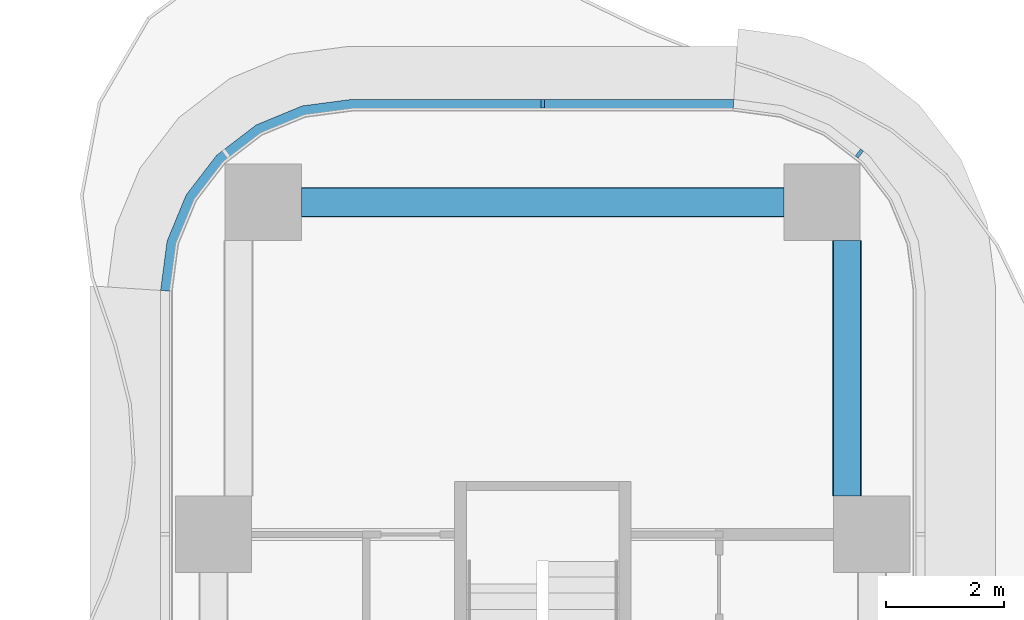
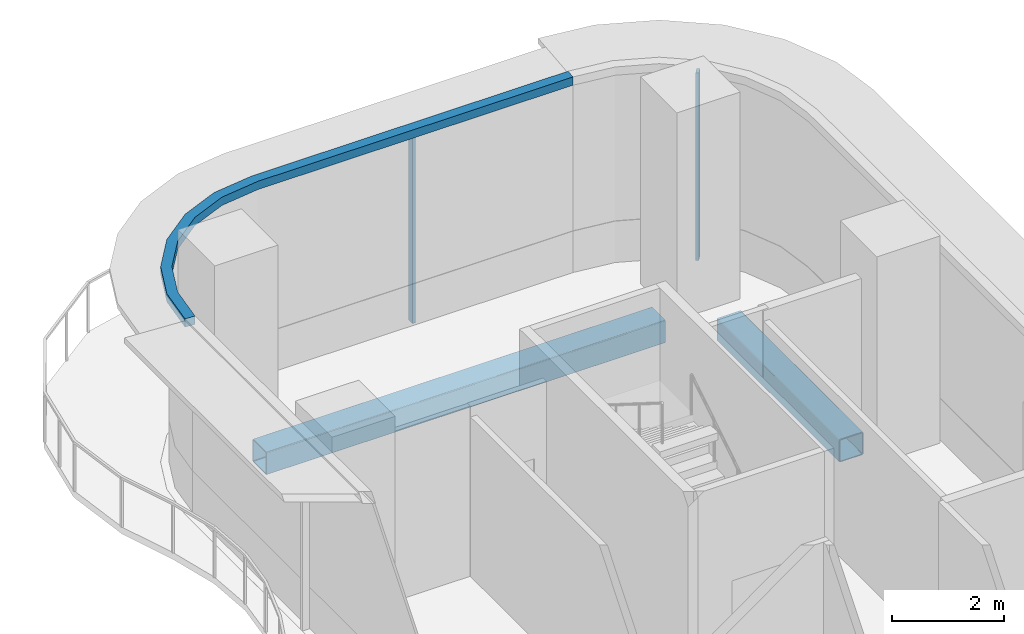
# One storey, part 12 of 21: 3 members, 2 beams, 2 elements without a shape of their own.
"""IFC4 building model written with IfcOpenShell, lengths in metres."""

from ifc_helpers import new_model, si_unit, direction, frame, origin, origin_2d, place, context, subcontext, project, spatial, polyline, rectangle, hollow_rectangle, outline, extrude, source, transform, mapped, material, layer, layer_set, material_profile, profile_set, type_object, element, aggregate, save


model = new_model("IFC4")

# Units and contexts
model_context = context("Model", 3, precision=1e-05, world=origin(), true_north=direction((0.0, 1.0)))
body_context = subcontext(model_context, "Body", "Model", "MODEL_VIEW")
ifc_project = project(units=[si_unit("LENGTHUNIT", "METRE"), si_unit("AREAUNIT", "SQUARE_METRE"), si_unit("VOLUMEUNIT", "CUBIC_METRE"), si_unit("PLANEANGLEUNIT", "RADIAN"), si_unit("MASSUNIT", "GRAM", prefix="KILO")], contexts=[model_context])

# Site, building, storey
site_placement = place(None, origin())
site = spatial("IfcSite", under=ifc_project, at=site_placement, CompositionType="ELEMENT")
building_placement = place(site_placement, origin())
building = spatial("IfcBuilding", under=site, at=building_placement, Name="Trellis Farm Tower", CompositionType="ELEMENT")
storey_placement = place(building_placement, frame((0.0, 0.0, 97.5)))
storey = spatial("IfcBuildingStorey", under=building, at=storey_placement, Name="L20", CompositionType="ELEMENT", Elevation=97.5)

# Beams
ifc_material_1 = material(Name="Steel S355", Category="steel")
ifc_material_profile_1 = material_profile(ifc_material_1, hollow_rectangle(XDim=0.5, YDim=0.5, WallThickness=0.02001953125, InnerFilletRadius=0.02001953125, OuterFilletRadius=0.030029296875, at=origin_2d()), Name="SHS 500x500x20")
ifc_profile_set_1 = profile_set([ifc_material_profile_1], Name="Steel S355")
beam_type = type_object("IfcBeamType", Name="SHS 500x500x20", PredefinedType="BEAM", material=ifc_profile_set_1)
shared_shape_1 = source(origin(), body_context, "Body", "SweptSolid", [
    extrude(hollow_rectangle(XDim=0.5, YDim=0.5, WallThickness=0.02001953125, InnerFilletRadius=0.02001953125, OuterFilletRadius=0.030029296875, at=origin_2d()), origin(), (0.0, 0.0, 1.0), 4.35009765625),
])
beam_1_placement = place(storey_placement, frame((5.175048828125, 19.25, -0.5), z_axis=(0.0, 1.0, 0.0), x_axis=(-1.0, 0.0, 0.0)))
element("IfcBeam", 1, at=beam_1_placement, inside=storey, type_object=beam_type, Name="Girder", PredefinedType="BEAM", context=body_context, shape_type="MappedRepresentation", body=[
    mapped(shared_shape_1, transform((0.0, 0.0, 0.0))),
])
shared_shape_2 = source(origin(), body_context, "Body", "SweptSolid", [
    extrude(hollow_rectangle(XDim=0.5, YDim=0.5, WallThickness=0.02001953125, InnerFilletRadius=0.02001953125, OuterFilletRadius=0.030029296875, at=origin_2d()), origin(), (0.0, 0.0, 1.0), 8.2001953125),
])
beam_2_placement = place(storey_placement, frame((-4.10009765625, 24.25, -0.5), z_axis=(1.0, 0.0, 0.0), x_axis=(0.0, 1.0, 0.0)))
element("IfcBeam", 2, at=beam_2_placement, inside=storey, type_object=beam_type, Name="Girder", PredefinedType="BEAM", context=body_context, shape_type="MappedRepresentation", body=[
    mapped(shared_shape_2, transform((0.0, 0.0, 0.0))),
])

# Curtain wall, member
ifc_material_2 = material(Name="Aluminium and glass curtain wall", Category="aluminium")
ifc_layer_1 = layer(ifc_material_2, 0.18994140625)
ifc_layer_set_1 = layer_set([ifc_layer_1], Name="RIBBON CURTAIN WALL CW1")
curtain_wall_type = type_object("IfcCurtainWallType", Name="RIBBON CURTAIN WALL CW1", PredefinedType="NOTDEFINED", material=ifc_layer_set_1)
placement = place(storey_placement, origin())
curtain_wall_1 = element("IfcCurtainWall", 3, at=placement, inside=storey, type_object=curtain_wall_type, Name="CW1 010", PredefinedType="NOTDEFINED")
ifc_material_3 = material(Name="Aluminium extrusion 6063-T6", Category="aluminium")
ifc_material_profile_2 = material_profile(ifc_material_3, rectangle(XDim=0.06005859375, YDim=0.14990234375, at=origin_2d()), Name="MULLION 60x150")
ifc_profile_set_2 = profile_set([ifc_material_profile_2], Name="Aluminium extrusion 6063-T6")
member_type_1 = type_object("IfcMemberType", Name="CW1 MULLION 60x150", PredefinedType="MULLION", material=ifc_profile_set_2)
shared_shape_3 = source(origin(), body_context, "Body", "SweptSolid", [
    extrude(rectangle(XDim=0.06005859375, YDim=0.14990234375, at=origin_2d()), origin(), (0.0, 0.0, 1.0), 4.070068359375),
])
member_1_placement = place(storey_placement, frame((5.385498046875, 25.078369140625, 0.0), z_axis=(0.0, 0.0, 1.0), x_axis=(-0.793353340291, 0.608761429009, 0.0)))
member_1 = element("IfcMember", 4, at=member_1_placement, type_object=member_type_1, Name="MU1 010-03", PredefinedType="MULLION", context=body_context, shape_type="MappedRepresentation", body=[
    mapped(shared_shape_3, transform((0.0, 0.0, 0.0))),
])
aggregate(curtain_wall_1, [member_1])

# Curtain wall, members
curtain_wall_2 = element("IfcCurtainWall", 5, at=placement, inside=storey, type_object=curtain_wall_type, Name="CW1 011", PredefinedType="NOTDEFINED")
member_2_placement = place(storey_placement, frame((0.0, 25.925048828125, 0.0), z_axis=(0.0, 0.0, 1.0), x_axis=(-1.0, 0.0, 0.0)))
member_2 = element("IfcMember", 6, at=member_2_placement, type_object=member_type_1, Name="MU1 011-01", PredefinedType="MULLION", context=body_context, shape_type="MappedRepresentation", body=[
    mapped(shared_shape_3, transform((0.0, 0.0, 0.0))),
])
ifc_layer_2 = layer(ifc_material_3, 0.199951171875)
ifc_layer_set_2 = layer_set([ifc_layer_2], Name="Aluminium extrusion 6063-T6")
member_type_2 = type_object("IfcMemberType", Name="CW1 TRANSOM 200x180", PredefinedType="USERDEFINED", material=ifc_layer_set_2)
shared_shape_4 = source(origin(), body_context, "Body", "SweptSolid", [
    extrude(outline(polyline([(3.25, 26.0), (-3.25, 26.0), (-4.091064453125, 25.88916015625), (-4.875, 25.564697265625), (-5.548095703125, 25.048095703125), (-6.064697265625, 24.375), (-6.38916015625, 23.591064453125), (-6.5, 22.75), (-6.300048828125, 22.73681640625), (-6.1943359375, 23.5390625), (-5.889892578125, 24.274169921875), (-5.405517578125, 24.905517578125), (-4.774169921875, 25.389892578125), (-4.0390625, 25.6943359375), (-3.23681640625, 25.800048828125), (3.23681640625, 25.800048828125), (3.25, 26.0)])), origin(), (0.0, 0.0, 1.0), 0.179931640625),
])
member_3_placement = place(storey_placement, frame((0.0, 0.0, 4.070068359375)))
member_3 = element("IfcMember", 7, at=member_3_placement, type_object=member_type_2, Name="TR1 011", ObjectType="TRANSOM", PredefinedType="USERDEFINED", context=body_context, shape_type="MappedRepresentation", body=[
    mapped(shared_shape_4, transform((0.0, 0.0, 0.0))),
])
aggregate(curtain_wall_2, [member_2, member_3])

save(model, "model.ifc")
